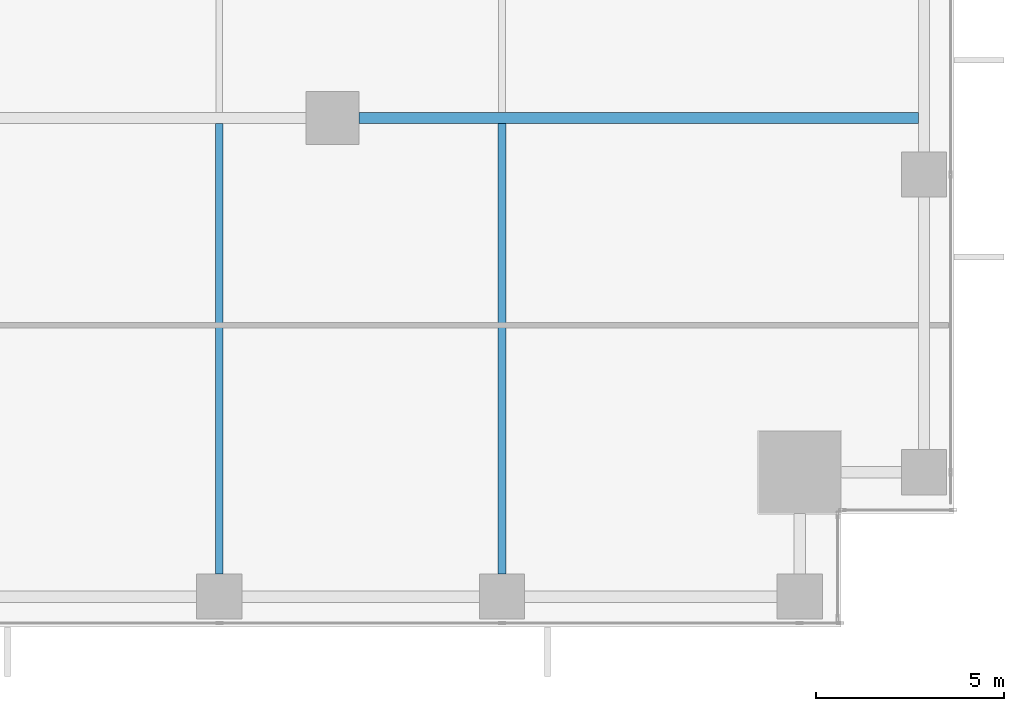
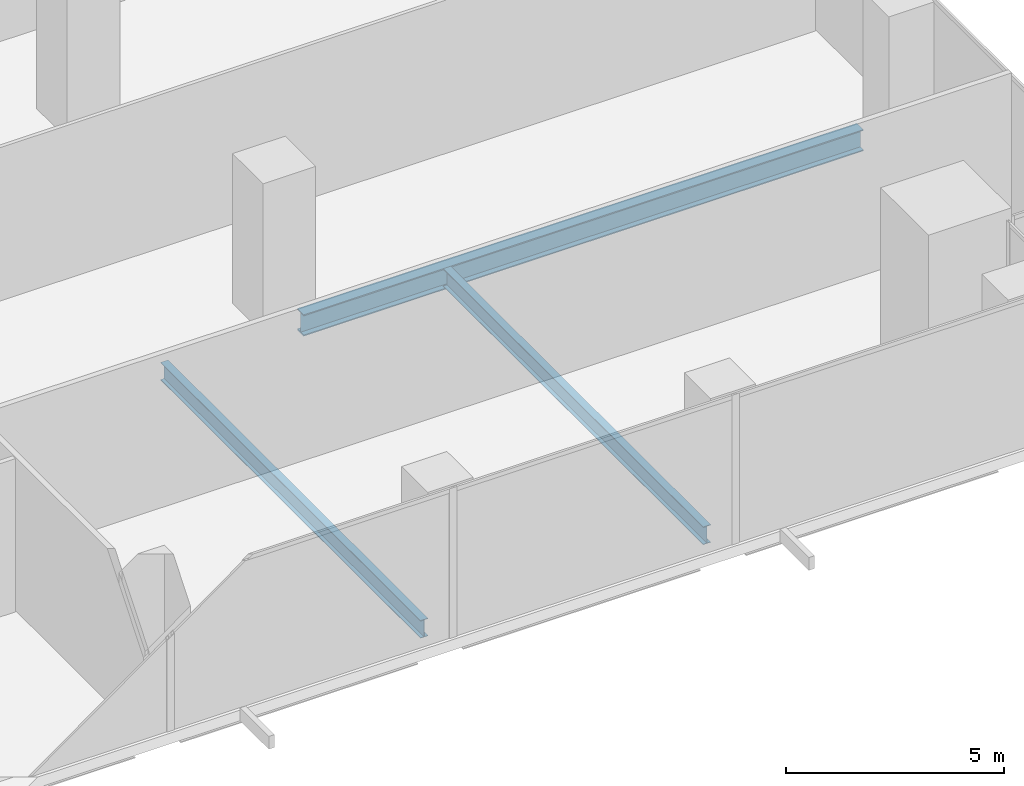
# One storey, part 8 of 32: 3 beams.
"""IFC4 building model written with IfcOpenShell, lengths in metres."""

from ifc_helpers import new_model, si_unit, direction, frame, origin, origin_2d, place, context, subcontext, project, spatial, i_section, extrude, source, transform, mapped, material, material_profile, profile_set, type_object, element, save


model = new_model("IFC4")

# Units and contexts
model_context = context("Model", 3, precision=1e-05, world=origin(), true_north=direction((0.0, 1.0)))
body_context = subcontext(model_context, "Body", "Model", "MODEL_VIEW")
ifc_project = project(units=[si_unit("LENGTHUNIT", "METRE"), si_unit("AREAUNIT", "SQUARE_METRE"), si_unit("VOLUMEUNIT", "CUBIC_METRE"), si_unit("PLANEANGLEUNIT", "RADIAN"), si_unit("MASSUNIT", "GRAM", prefix="KILO")], contexts=[model_context])

# Site, building, storey
site_placement = place(None, origin())
site = spatial("IfcSite", under=ifc_project, at=site_placement, CompositionType="ELEMENT")
building_placement = place(site_placement, origin())
building = spatial("IfcBuilding", under=site, at=building_placement, Name="Khomas Fold Tower", CompositionType="ELEMENT")
storey_placement = place(building_placement, frame((0.0, 0.0, 42.0)))
storey = spatial("IfcBuildingStorey", under=building, at=storey_placement, Name="L08", CompositionType="ELEMENT", Elevation=42.0)

# Beams
ifc_material_1 = material(Name="Steel S355", Category="steel")
ifc_material_profile_1 = material_profile(ifc_material_1, i_section(OverallWidth=0.300048828125, OverallDepth=0.60009765625, WebThickness=0.015380859375, FlangeThickness=0.030029296875, at=origin_2d()), Name="HE 600 B")
ifc_profile_set_1 = profile_set([ifc_material_profile_1], Name="Steel S355")
beam_type_1 = type_object("IfcBeamType", Name="HE 600 B beam GB5", PredefinedType="BEAM", material=ifc_profile_set_1)
shared_shape_1 = source(origin(), body_context, "Body", "SweptSolid", [
    extrude(i_section(OverallWidth=0.300048828125, OverallDepth=0.60009765625, WebThickness=0.015380859375, FlangeThickness=0.030029296875, at=origin_2d()), origin(), (0.0, 0.0, 1.0), 14.85009765625),
])
beam_placement = place(storey_placement, frame((38.199951171875, 13.5, -0.60009765625), z_axis=(1.0, 0.0, 0.0), x_axis=(0.0, 1.0, 0.0)))
element("IfcBeam", 1, at=beam_placement, inside=storey, type_object=beam_type_1, Name="GB5", PredefinedType="BEAM", context=body_context, shape_type="MappedRepresentation", body=[
    mapped(shared_shape_1, transform((0.0, 0.0, 0.0))),
])
ifc_material_2 = material(Name="Steel S355", Category="steel")
ifc_material_profile_2 = material_profile(ifc_material_2, i_section(OverallWidth=0.199951171875, OverallDepth=0.5, WebThickness=0.01025390625, FlangeThickness=0.01611328125, at=origin_2d()), Name="IPE 500")
ifc_profile_set_2 = profile_set([ifc_material_profile_2], Name="Steel S355")
beam_type_2 = type_object("IfcBeamType", Name="IPE 500 beam JB5", PredefinedType="BEAM", material=ifc_profile_set_2)
shared_shape_2 = source(origin(), body_context, "Body", "SweptSolid", [
    extrude(i_section(OverallWidth=0.199951171875, OverallDepth=0.5, WebThickness=0.01025390625, FlangeThickness=0.01611328125, at=origin_2d()), origin(), (0.0, 0.0, 1.0), 11.9501953125),
])
for number, where, z_axis, x_axis, name in (
    (2, (34.5, 1.39990234375, -0.550048828125), (0.0, 1.0, 0.0), (-1.0, 0.0, 0.0), "JB5"),
    (3, (42.0, 1.39990234375, -0.550048828125), (0.0, 1.0, 0.0), (-1.0, 0.0, 0.0), "JB5"),
):
    element("IfcBeam", number, at=place(storey_placement, frame(where, z_axis=z_axis, x_axis=x_axis)), inside=storey, type_object=beam_type_2, Name=name, PredefinedType="BEAM", context=body_context, shape_type="MappedRepresentation", body=[
        mapped(shared_shape_2, transform((0.0, 0.0, 0.0))),
    ])

save(model, "model.ifc")
